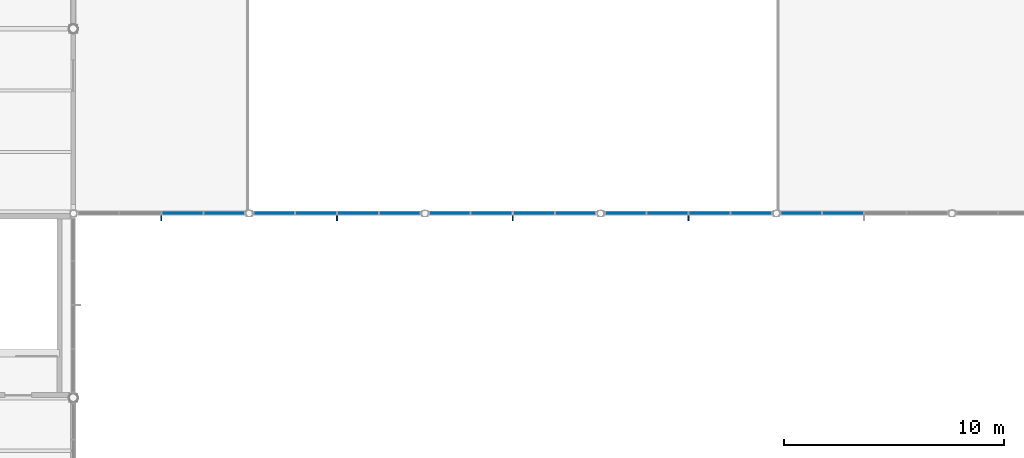
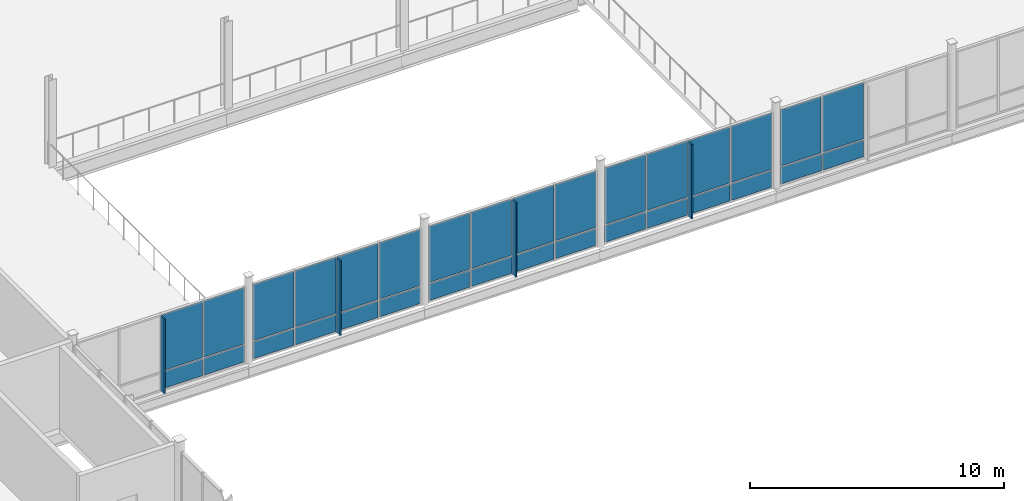
# One storey, part 44 of 75: 36 plates, 5 elements without a shape of their own.
"""IFC4 building model written with IfcOpenShell, lengths in metres."""

from ifc_helpers import new_model, si_unit, direction, frame, origin, origin_2d, place, context, subcontext, project, spatial, rectangle, extrude, material, layer, layer_set, type_object, element, aggregate, save


model = new_model("IFC4")

# Units and contexts
model_context = context("Model", 3, precision=1e-05, world=origin(), true_north=direction((0.0, 1.0)))
body_context = subcontext(model_context, "Body", "Model", "MODEL_VIEW")
ifc_project = project(units=[si_unit("LENGTHUNIT", "METRE"), si_unit("AREAUNIT", "SQUARE_METRE"), si_unit("VOLUMEUNIT", "CUBIC_METRE"), si_unit("PLANEANGLEUNIT", "RADIAN"), si_unit("MASSUNIT", "GRAM", prefix="KILO")], contexts=[model_context])

# Site, building, storey
site_placement = place(None, origin())
site = spatial("IfcSite", under=ifc_project, at=site_placement, CompositionType="ELEMENT")
building_placement = place(site_placement, origin())
building = spatial("IfcBuilding", under=site, at=building_placement, Name="Yukiwa Park Conservatory and Herbarium", CompositionType="ELEMENT")
storey_placement = place(building_placement, frame((0.0, 0.0, 4.800048828125)))
storey = spatial("IfcBuildingStorey", under=building, at=storey_placement, Name="L01", CompositionType="ELEMENT", Elevation=4.800048828125)

# Curtain wall, plates
ifc_material_1 = material(Name="Triple Low-E Insulated Glass", Category="glass")
ifc_layer_1 = layer(ifc_material_1, 0.18798828125)
ifc_layer_set_1 = layer_set([ifc_layer_1], Name="Triple Low-E Insulated Glass")
curtain_wall_type = type_object("IfcCurtainWallType", Name="CW-CONCOURSE-2000", PredefinedType="NOTDEFINED", material=ifc_layer_set_1)
curtain_wall_1_placement = place(storey_placement, origin())
curtain_wall_1 = element("IfcCurtainWall", 1, at=curtain_wall_1_placement, inside=storey, type_object=curtain_wall_type, Name="L01 unitised curtain wall CW-L01-036", PredefinedType="NOTDEFINED")
ifc_material_2 = material(Name="Triple Low-E Insulated Glass", Category="glass")
ifc_layer_2 = layer(ifc_material_2, 0.035888671875)
ifc_layer_set_2 = layer_set([ifc_layer_2], Name="Triple Low-E Insulated Glass")
plate_type_1 = type_object("IfcPlateType", Name="PL-CW-GLZ-36", PredefinedType="CURTAIN_PANEL", material=ifc_layer_set_2)
plate_1_placement = place(storey_placement, frame((64.95947265625, 15.60009765625, 0.93505859375), z_axis=(0.0, 0.0, 1.0), x_axis=(1.0, 0.0, 0.0)))
plate_1 = element("IfcPlate", 2, at=plate_1_placement, type_object=plate_type_1, Name="CW-L01-036 vision panel 3.2", PredefinedType="CURTAIN_PANEL", context=body_context, shape_type="SweptSolid", body=[
    extrude(rectangle(XDim=1.848876953125, YDim=0.035888671875, at=origin_2d()), origin(), (0.0, 0.0, 1.0), 2.695068359375),
])
plate_2_placement = place(storey_placement, frame((66.878173828125, 15.60009765625, 0.93505859375), z_axis=(0.0, 0.0, 1.0), x_axis=(1.0, 0.0, 0.0)))
plate_2 = element("IfcPlate", 3, at=plate_2_placement, type_object=plate_type_1, Name="CW-L01-036 vision panel 4.2", PredefinedType="CURTAIN_PANEL", context=body_context, shape_type="SweptSolid", body=[
    extrude(rectangle(XDim=1.848876953125, YDim=0.035888671875, at=origin_2d()), origin(), (0.0, 0.0, 1.0), 2.695068359375),
])

curtain_wall_2_placement = place(storey_placement, origin())
curtain_wall_2 = element("IfcCurtainWall", 4, at=curtain_wall_2_placement, inside=storey, type_object=curtain_wall_type, Name="L01 unitised curtain wall CW-L01-037", PredefinedType="NOTDEFINED")
plate_3_placement = place(storey_placement, frame((69.121826171875, 15.60009765625, 0.93505859375), z_axis=(0.0, 0.0, 1.0), x_axis=(1.0, 0.0, 0.0)))
plate_3 = element("IfcPlate", 5, at=plate_3_placement, type_object=plate_type_1, Name="CW-L01-037 vision panel 1.2", PredefinedType="CURTAIN_PANEL", context=body_context, shape_type="SweptSolid", body=[
    extrude(rectangle(XDim=1.848876953125, YDim=0.035888671875, at=origin_2d()), origin(), (0.0, 0.0, 1.0), 2.695068359375),
])
plate_4_placement = place(storey_placement, frame((71.04052734375, 15.60009765625, 0.93505859375), z_axis=(0.0, 0.0, 1.0), x_axis=(1.0, 0.0, 0.0)))
plate_4 = element("IfcPlate", 6, at=plate_4_placement, type_object=plate_type_1, Name="CW-L01-037 vision panel 2.2", PredefinedType="CURTAIN_PANEL", context=body_context, shape_type="SweptSolid", body=[
    extrude(rectangle(XDim=1.848876953125, YDim=0.035888671875, at=origin_2d()), origin(), (0.0, 0.0, 1.0), 2.695068359375),
])
plate_5_placement = place(storey_placement, frame((72.95947265625, 15.60009765625, 0.93505859375), z_axis=(0.0, 0.0, 1.0), x_axis=(1.0, 0.0, 0.0)))
plate_5 = element("IfcPlate", 7, at=plate_5_placement, type_object=plate_type_1, Name="CW-L01-037 vision panel 3.2", PredefinedType="CURTAIN_PANEL", context=body_context, shape_type="SweptSolid", body=[
    extrude(rectangle(XDim=1.848876953125, YDim=0.035888671875, at=origin_2d()), origin(), (0.0, 0.0, 1.0), 2.695068359375),
])
plate_6_placement = place(storey_placement, frame((74.878173828125, 15.60009765625, 0.93505859375), z_axis=(0.0, 0.0, 1.0), x_axis=(1.0, 0.0, 0.0)))
plate_6 = element("IfcPlate", 8, at=plate_6_placement, type_object=plate_type_1, Name="CW-L01-037 vision panel 4.2", PredefinedType="CURTAIN_PANEL", context=body_context, shape_type="SweptSolid", body=[
    extrude(rectangle(XDim=1.848876953125, YDim=0.035888671875, at=origin_2d()), origin(), (0.0, 0.0, 1.0), 2.695068359375),
])

curtain_wall_3_placement = place(storey_placement, origin())
curtain_wall_3 = element("IfcCurtainWall", 9, at=curtain_wall_3_placement, inside=storey, type_object=curtain_wall_type, Name="L01 unitised curtain wall CW-L01-038", PredefinedType="NOTDEFINED")
plate_7_placement = place(storey_placement, frame((77.121826171875, 15.60009765625, 0.93505859375), z_axis=(0.0, 0.0, 1.0), x_axis=(1.0, 0.0, 0.0)))
plate_7 = element("IfcPlate", 10, at=plate_7_placement, type_object=plate_type_1, Name="CW-L01-038 vision panel 1.2", PredefinedType="CURTAIN_PANEL", context=body_context, shape_type="SweptSolid", body=[
    extrude(rectangle(XDim=1.848876953125, YDim=0.035888671875, at=origin_2d()), origin(), (0.0, 0.0, 1.0), 2.695068359375),
])
plate_8_placement = place(storey_placement, frame((79.04052734375, 15.60009765625, 0.93505859375), z_axis=(0.0, 0.0, 1.0), x_axis=(1.0, 0.0, 0.0)))
plate_8 = element("IfcPlate", 11, at=plate_8_placement, type_object=plate_type_1, Name="CW-L01-038 vision panel 2.2", PredefinedType="CURTAIN_PANEL", context=body_context, shape_type="SweptSolid", body=[
    extrude(rectangle(XDim=1.848876953125, YDim=0.035888671875, at=origin_2d()), origin(), (0.0, 0.0, 1.0), 2.695068359375),
])
plate_9_placement = place(storey_placement, frame((80.95947265625, 15.60009765625, 0.93505859375), z_axis=(0.0, 0.0, 1.0), x_axis=(1.0, 0.0, 0.0)))
plate_9 = element("IfcPlate", 12, at=plate_9_placement, type_object=plate_type_1, Name="CW-L01-038 vision panel 3.2", PredefinedType="CURTAIN_PANEL", context=body_context, shape_type="SweptSolid", body=[
    extrude(rectangle(XDim=1.848876953125, YDim=0.035888671875, at=origin_2d()), origin(), (0.0, 0.0, 1.0), 2.695068359375),
])
plate_10_placement = place(storey_placement, frame((82.878173828125, 15.60009765625, 0.93505859375), z_axis=(0.0, 0.0, 1.0), x_axis=(1.0, 0.0, 0.0)))
plate_10 = element("IfcPlate", 13, at=plate_10_placement, type_object=plate_type_1, Name="CW-L01-038 vision panel 4.2", PredefinedType="CURTAIN_PANEL", context=body_context, shape_type="SweptSolid", body=[
    extrude(rectangle(XDim=1.848876953125, YDim=0.035888671875, at=origin_2d()), origin(), (0.0, 0.0, 1.0), 2.695068359375),
])

curtain_wall_4_placement = place(storey_placement, origin())
curtain_wall_4 = element("IfcCurtainWall", 14, at=curtain_wall_4_placement, inside=storey, type_object=curtain_wall_type, Name="L01 unitised curtain wall CW-L01-039", PredefinedType="NOTDEFINED")
plate_11_placement = place(storey_placement, frame((85.121826171875, 15.60009765625, 0.93505859375), z_axis=(0.0, 0.0, 1.0), x_axis=(1.0, 0.0, 0.0)))
plate_11 = element("IfcPlate", 15, at=plate_11_placement, type_object=plate_type_1, Name="CW-L01-039 vision panel 1.2", PredefinedType="CURTAIN_PANEL", context=body_context, shape_type="SweptSolid", body=[
    extrude(rectangle(XDim=1.848876953125, YDim=0.035888671875, at=origin_2d()), origin(), (0.0, 0.0, 1.0), 2.695068359375),
])
plate_12_placement = place(storey_placement, frame((87.04052734375, 15.60009765625, 0.93505859375), z_axis=(0.0, 0.0, 1.0), x_axis=(1.0, 0.0, 0.0)))
plate_12 = element("IfcPlate", 16, at=plate_12_placement, type_object=plate_type_1, Name="CW-L01-039 vision panel 2.2", PredefinedType="CURTAIN_PANEL", context=body_context, shape_type="SweptSolid", body=[
    extrude(rectangle(XDim=1.848876953125, YDim=0.035888671875, at=origin_2d()), origin(), (0.0, 0.0, 1.0), 2.695068359375),
])
plate_13_placement = place(storey_placement, frame((88.95947265625, 15.60009765625, 0.93505859375), z_axis=(0.0, 0.0, 1.0), x_axis=(1.0, 0.0, 0.0)))
plate_13 = element("IfcPlate", 17, at=plate_13_placement, type_object=plate_type_1, Name="CW-L01-039 vision panel 3.2", PredefinedType="CURTAIN_PANEL", context=body_context, shape_type="SweptSolid", body=[
    extrude(rectangle(XDim=1.848876953125, YDim=0.035888671875, at=origin_2d()), origin(), (0.0, 0.0, 1.0), 2.695068359375),
])
plate_14_placement = place(storey_placement, frame((90.878173828125, 15.60009765625, 0.93505859375), z_axis=(0.0, 0.0, 1.0), x_axis=(1.0, 0.0, 0.0)))
plate_14 = element("IfcPlate", 18, at=plate_14_placement, type_object=plate_type_1, Name="CW-L01-039 vision panel 4.2", PredefinedType="CURTAIN_PANEL", context=body_context, shape_type="SweptSolid", body=[
    extrude(rectangle(XDim=1.848876953125, YDim=0.035888671875, at=origin_2d()), origin(), (0.0, 0.0, 1.0), 2.695068359375),
])

curtain_wall_5_placement = place(storey_placement, origin())
curtain_wall_5 = element("IfcCurtainWall", 19, at=curtain_wall_5_placement, inside=storey, type_object=curtain_wall_type, Name="L01 unitised curtain wall CW-L01-040", PredefinedType="NOTDEFINED")
plate_15_placement = place(storey_placement, frame((93.121826171875, 15.60009765625, 0.93505859375), z_axis=(0.0, 0.0, 1.0), x_axis=(1.0, 0.0, 0.0)))
plate_15 = element("IfcPlate", 20, at=plate_15_placement, type_object=plate_type_1, Name="CW-L01-040 vision panel 1.2", PredefinedType="CURTAIN_PANEL", context=body_context, shape_type="SweptSolid", body=[
    extrude(rectangle(XDim=1.848876953125, YDim=0.035888671875, at=origin_2d()), origin(), (0.0, 0.0, 1.0), 2.695068359375),
])
plate_16_placement = place(storey_placement, frame((95.04052734375, 15.60009765625, 0.93505859375), z_axis=(0.0, 0.0, 1.0), x_axis=(1.0, 0.0, 0.0)))
plate_16 = element("IfcPlate", 21, at=plate_16_placement, type_object=plate_type_1, Name="CW-L01-040 vision panel 2.2", PredefinedType="CURTAIN_PANEL", context=body_context, shape_type="SweptSolid", body=[
    extrude(rectangle(XDim=1.848876953125, YDim=0.035888671875, at=origin_2d()), origin(), (0.0, 0.0, 1.0), 2.695068359375),
])

# Plate
ifc_material_3 = material(Name="Anodised Aluminium", Category="aluminium")
ifc_layer_3 = layer(ifc_material_3, 0.044921875)
ifc_layer_set_3 = layer_set([ifc_layer_3], Name="Anodised Aluminium")
plate_type_2 = type_object("IfcPlateType", Name="PL-CW-SPN-45", PredefinedType="CURTAIN_PANEL", material=ifc_layer_set_3)
plate_17_placement = place(storey_placement, frame((64.95947265625, 15.60009765625, 0.070068359375), z_axis=(0.0, 0.0, 1.0), x_axis=(1.0, 0.0, 0.0)))
plate_17 = element("IfcPlate", 22, at=plate_17_placement, type_object=plate_type_2, Name="CW-L01-036 spandrel panel 3.1", PredefinedType="CURTAIN_PANEL", context=body_context, shape_type="SweptSolid", body=[
    extrude(rectangle(XDim=1.848876953125, YDim=0.044921875, at=origin_2d()), origin(), (0.0, 0.0, 1.0), 0.794921875),
])

plate_18_placement = place(storey_placement, frame((66.878173828125, 15.60009765625, 0.070068359375), z_axis=(0.0, 0.0, 1.0), x_axis=(1.0, 0.0, 0.0)))
plate_18 = element("IfcPlate", 23, at=plate_18_placement, type_object=plate_type_2, Name="CW-L01-036 spandrel panel 4.1", PredefinedType="CURTAIN_PANEL", context=body_context, shape_type="SweptSolid", body=[
    extrude(rectangle(XDim=1.848876953125, YDim=0.044921875, at=origin_2d()), origin(), (0.0, 0.0, 1.0), 0.794921875),
])

aggregate(curtain_wall_1, [plate_17, plate_1, plate_18, plate_2])

plate_19_placement = place(storey_placement, frame((69.121826171875, 15.60009765625, 0.070068359375), z_axis=(0.0, 0.0, 1.0), x_axis=(1.0, 0.0, 0.0)))
plate_19 = element("IfcPlate", 24, at=plate_19_placement, type_object=plate_type_2, Name="CW-L01-037 spandrel panel 1.1", PredefinedType="CURTAIN_PANEL", context=body_context, shape_type="SweptSolid", body=[
    extrude(rectangle(XDim=1.848876953125, YDim=0.044921875, at=origin_2d()), origin(), (0.0, 0.0, 1.0), 0.794921875),
])

plate_20_placement = place(storey_placement, frame((71.04052734375, 15.60009765625, 0.070068359375), z_axis=(0.0, 0.0, 1.0), x_axis=(1.0, 0.0, 0.0)))
plate_20 = element("IfcPlate", 25, at=plate_20_placement, type_object=plate_type_2, Name="CW-L01-037 spandrel panel 2.1", PredefinedType="CURTAIN_PANEL", context=body_context, shape_type="SweptSolid", body=[
    extrude(rectangle(XDim=1.848876953125, YDim=0.044921875, at=origin_2d()), origin(), (0.0, 0.0, 1.0), 0.794921875),
])

plate_21_placement = place(storey_placement, frame((72.95947265625, 15.60009765625, 0.070068359375), z_axis=(0.0, 0.0, 1.0), x_axis=(1.0, 0.0, 0.0)))
plate_21 = element("IfcPlate", 26, at=plate_21_placement, type_object=plate_type_2, Name="CW-L01-037 spandrel panel 3.1", PredefinedType="CURTAIN_PANEL", context=body_context, shape_type="SweptSolid", body=[
    extrude(rectangle(XDim=1.848876953125, YDim=0.044921875, at=origin_2d()), origin(), (0.0, 0.0, 1.0), 0.794921875),
])

plate_22_placement = place(storey_placement, frame((74.878173828125, 15.60009765625, 0.070068359375), z_axis=(0.0, 0.0, 1.0), x_axis=(1.0, 0.0, 0.0)))
plate_22 = element("IfcPlate", 27, at=plate_22_placement, type_object=plate_type_2, Name="CW-L01-037 spandrel panel 4.1", PredefinedType="CURTAIN_PANEL", context=body_context, shape_type="SweptSolid", body=[
    extrude(rectangle(XDim=1.848876953125, YDim=0.044921875, at=origin_2d()), origin(), (0.0, 0.0, 1.0), 0.794921875),
])

aggregate(curtain_wall_2, [plate_19, plate_3, plate_20, plate_4, plate_21, plate_5, plate_22, plate_6])

plate_23_placement = place(storey_placement, frame((77.121826171875, 15.60009765625, 0.070068359375), z_axis=(0.0, 0.0, 1.0), x_axis=(1.0, 0.0, 0.0)))
plate_23 = element("IfcPlate", 28, at=plate_23_placement, type_object=plate_type_2, Name="CW-L01-038 spandrel panel 1.1", PredefinedType="CURTAIN_PANEL", context=body_context, shape_type="SweptSolid", body=[
    extrude(rectangle(XDim=1.848876953125, YDim=0.044921875, at=origin_2d()), origin(), (0.0, 0.0, 1.0), 0.794921875),
])

plate_24_placement = place(storey_placement, frame((79.04052734375, 15.60009765625, 0.070068359375), z_axis=(0.0, 0.0, 1.0), x_axis=(1.0, 0.0, 0.0)))
plate_24 = element("IfcPlate", 29, at=plate_24_placement, type_object=plate_type_2, Name="CW-L01-038 spandrel panel 2.1", PredefinedType="CURTAIN_PANEL", context=body_context, shape_type="SweptSolid", body=[
    extrude(rectangle(XDim=1.848876953125, YDim=0.044921875, at=origin_2d()), origin(), (0.0, 0.0, 1.0), 0.794921875),
])

plate_25_placement = place(storey_placement, frame((80.95947265625, 15.60009765625, 0.070068359375), z_axis=(0.0, 0.0, 1.0), x_axis=(1.0, 0.0, 0.0)))
plate_25 = element("IfcPlate", 30, at=plate_25_placement, type_object=plate_type_2, Name="CW-L01-038 spandrel panel 3.1", PredefinedType="CURTAIN_PANEL", context=body_context, shape_type="SweptSolid", body=[
    extrude(rectangle(XDim=1.848876953125, YDim=0.044921875, at=origin_2d()), origin(), (0.0, 0.0, 1.0), 0.794921875),
])

plate_26_placement = place(storey_placement, frame((82.878173828125, 15.60009765625, 0.070068359375), z_axis=(0.0, 0.0, 1.0), x_axis=(1.0, 0.0, 0.0)))
plate_26 = element("IfcPlate", 31, at=plate_26_placement, type_object=plate_type_2, Name="CW-L01-038 spandrel panel 4.1", PredefinedType="CURTAIN_PANEL", context=body_context, shape_type="SweptSolid", body=[
    extrude(rectangle(XDim=1.848876953125, YDim=0.044921875, at=origin_2d()), origin(), (0.0, 0.0, 1.0), 0.794921875),
])

aggregate(curtain_wall_3, [plate_23, plate_7, plate_24, plate_8, plate_25, plate_9, plate_26, plate_10])

plate_27_placement = place(storey_placement, frame((85.121826171875, 15.60009765625, 0.070068359375), z_axis=(0.0, 0.0, 1.0), x_axis=(1.0, 0.0, 0.0)))
plate_27 = element("IfcPlate", 32, at=plate_27_placement, type_object=plate_type_2, Name="CW-L01-039 spandrel panel 1.1", PredefinedType="CURTAIN_PANEL", context=body_context, shape_type="SweptSolid", body=[
    extrude(rectangle(XDim=1.848876953125, YDim=0.044921875, at=origin_2d()), origin(), (0.0, 0.0, 1.0), 0.794921875),
])

plate_28_placement = place(storey_placement, frame((87.04052734375, 15.60009765625, 0.070068359375), z_axis=(0.0, 0.0, 1.0), x_axis=(1.0, 0.0, 0.0)))
plate_28 = element("IfcPlate", 33, at=plate_28_placement, type_object=plate_type_2, Name="CW-L01-039 spandrel panel 2.1", PredefinedType="CURTAIN_PANEL", context=body_context, shape_type="SweptSolid", body=[
    extrude(rectangle(XDim=1.848876953125, YDim=0.044921875, at=origin_2d()), origin(), (0.0, 0.0, 1.0), 0.794921875),
])

plate_29_placement = place(storey_placement, frame((88.95947265625, 15.60009765625, 0.070068359375), z_axis=(0.0, 0.0, 1.0), x_axis=(1.0, 0.0, 0.0)))
plate_29 = element("IfcPlate", 34, at=plate_29_placement, type_object=plate_type_2, Name="CW-L01-039 spandrel panel 3.1", PredefinedType="CURTAIN_PANEL", context=body_context, shape_type="SweptSolid", body=[
    extrude(rectangle(XDim=1.848876953125, YDim=0.044921875, at=origin_2d()), origin(), (0.0, 0.0, 1.0), 0.794921875),
])

plate_30_placement = place(storey_placement, frame((90.878173828125, 15.60009765625, 0.070068359375), z_axis=(0.0, 0.0, 1.0), x_axis=(1.0, 0.0, 0.0)))
plate_30 = element("IfcPlate", 35, at=plate_30_placement, type_object=plate_type_2, Name="CW-L01-039 spandrel panel 4.1", PredefinedType="CURTAIN_PANEL", context=body_context, shape_type="SweptSolid", body=[
    extrude(rectangle(XDim=1.848876953125, YDim=0.044921875, at=origin_2d()), origin(), (0.0, 0.0, 1.0), 0.794921875),
])

aggregate(curtain_wall_4, [plate_27, plate_11, plate_28, plate_12, plate_29, plate_13, plate_30, plate_14])

plate_31_placement = place(storey_placement, frame((93.121826171875, 15.60009765625, 0.070068359375), z_axis=(0.0, 0.0, 1.0), x_axis=(1.0, 0.0, 0.0)))
plate_31 = element("IfcPlate", 36, at=plate_31_placement, type_object=plate_type_2, Name="CW-L01-040 spandrel panel 1.1", PredefinedType="CURTAIN_PANEL", context=body_context, shape_type="SweptSolid", body=[
    extrude(rectangle(XDim=1.848876953125, YDim=0.044921875, at=origin_2d()), origin(), (0.0, 0.0, 1.0), 0.794921875),
])

plate_32_placement = place(storey_placement, frame((95.04052734375, 15.60009765625, 0.070068359375), z_axis=(0.0, 0.0, 1.0), x_axis=(1.0, 0.0, 0.0)))
plate_32 = element("IfcPlate", 37, at=plate_32_placement, type_object=plate_type_2, Name="CW-L01-040 spandrel panel 2.1", PredefinedType="CURTAIN_PANEL", context=body_context, shape_type="SweptSolid", body=[
    extrude(rectangle(XDim=1.848876953125, YDim=0.044921875, at=origin_2d()), origin(), (0.0, 0.0, 1.0), 0.794921875),
])

aggregate(curtain_wall_5, [plate_31, plate_15, plate_32, plate_16])

# Plates
ifc_material_4 = material(Name="Charred Larch Cladding", Category="wood")
ifc_layer_4 = layer(ifc_material_4, 0.06494140625)
ifc_layer_set_4 = layer_set([ifc_layer_4], Name="Charred Larch Cladding")
plate_type_3 = type_object("IfcPlateType", Name="PL-FIN-LARCH-65", PredefinedType="USERDEFINED", material=ifc_layer_set_4)
for number, where, z_axis, x_axis, name in (
    (38, (64.0, 15.409912109375, 0.059814453125), (0.0, 0.0, 1.0), (1.0, 0.0, 0.0), "CW-L01-036 exterior vertical shading fin"),
    (39, (72.0, 15.409912109375, 0.059814453125), (0.0, 0.0, 1.0), (1.0, 0.0, 0.0), "CW-L01-037 exterior vertical shading fin"),
    (40, (80.0, 15.409912109375, 0.059814453125), (0.0, 0.0, 1.0), (1.0, 0.0, 0.0), "CW-L01-038 exterior vertical shading fin"),
    (41, (88.0, 15.409912109375, 0.059814453125), (0.0, 0.0, 1.0), (1.0, 0.0, 0.0), "CW-L01-039 exterior vertical shading fin"),
):
    element("IfcPlate", number, at=place(storey_placement, frame(where, z_axis=z_axis, x_axis=x_axis)), inside=storey, type_object=plate_type_3, Name=name, ObjectType="SHADING FIN", PredefinedType="USERDEFINED", context=body_context, shape_type="SweptSolid", body=[
        extrude(rectangle(XDim=0.06494140625, YDim=0.280029296875, at=origin_2d()), origin(), (0.0, 0.0, 1.0), 3.580078125),
    ])

save(model, "model.ifc")
